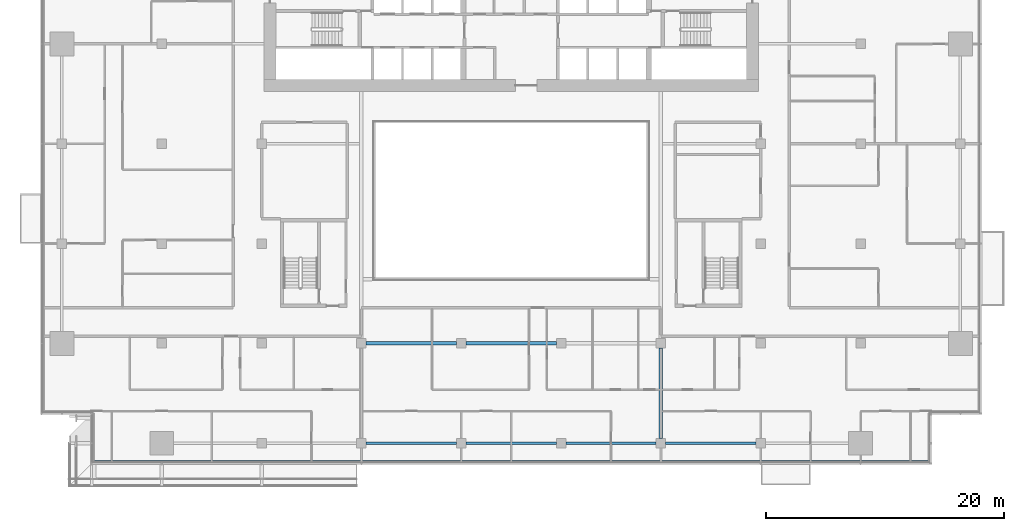
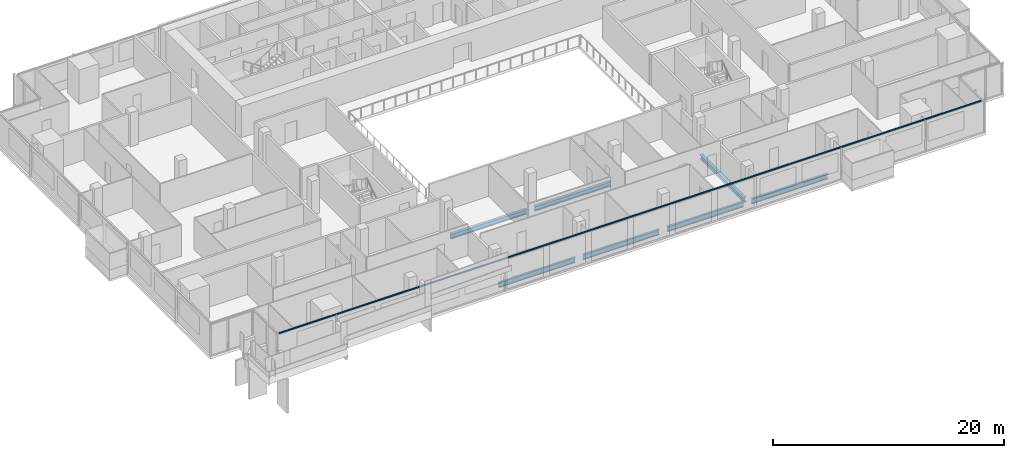
# One storey, part 5 of 29: 7 beams, 1 member, 1 element without a shape of its own.
"""IFC4 building model written with IfcOpenShell, lengths in metres."""

from ifc_helpers import new_model, si_unit, direction, frame, origin, origin_2d, place, context, subcontext, project, spatial, rectangle, i_section, extrude, material, material_profile, profile_set, type_object, element, aggregate, save


model = new_model("IFC4")

# Units and contexts
model_context = context("Model", 3, precision=1e-05, world=origin(), true_north=direction((0.0, 1.0)))
body_context = subcontext(model_context, "Body", "Model", "MODEL_VIEW")
ifc_project = project(units=[si_unit("LENGTHUNIT", "METRE"), si_unit("AREAUNIT", "SQUARE_METRE"), si_unit("VOLUMEUNIT", "CUBIC_METRE"), si_unit("PLANEANGLEUNIT", "RADIAN"), si_unit("MASSUNIT", "GRAM", prefix="KILO")], contexts=[model_context])

# Site, building, storey
site_placement = place(None, origin())
site = spatial("IfcSite", under=ifc_project, at=site_placement, CompositionType="ELEMENT")
building_placement = place(site_placement, origin())
building = spatial("IfcBuilding", under=site, at=building_placement, Name="Saffron Gate Tower", CompositionType="ELEMENT")
storey_placement = place(building_placement, frame((0.0, 0.0, 116.85009765625)))
storey = spatial("IfcBuildingStorey", under=building, at=storey_placement, Name="L27", CompositionType="ELEMENT", Elevation=116.85009765625)

# Beams
ifc_material_1 = material(Name="Structural steel S355", Category="steel")
ifc_material_profile_1 = material_profile(ifc_material_1, i_section(OverallWidth=0.2099609375, OverallDepth=0.550048828125, WebThickness=0.010986328125, FlangeThickness=0.01708984375, FilletRadius=0.02392578125, at=origin_2d()))
ifc_profile_set_1 = profile_set([ifc_material_profile_1], Name="Structural steel S355")
beam_type_1 = type_object("IfcBeamType", Name="B13 IPE 550", PredefinedType="SPANDREL", material=ifc_profile_set_1)
beam_1_placement = place(storey_placement, frame((75.39990234375, 31.800048828125, -0.55517578125), z_axis=(1.0, 0.0, 0.0), x_axis=(0.0, 1.0, 0.0)))
element("IfcBeam", 1, at=beam_1_placement, inside=storey, type_object=beam_type_1, Name="B13 SPANDREL BEAM", PredefinedType="SPANDREL", context=body_context, shape_type="SweptSolid", body=[
    extrude(i_section(OverallWidth=0.2099609375, OverallDepth=0.550048828125, WebThickness=0.010986328125, FlangeThickness=0.01708984375, FilletRadius=0.02392578125, at=origin_2d()), origin(), (0.0, 0.0, 1.0), 7.60009765625),
])
beam_2_placement = place(storey_placement, frame((83.800048828125, 31.800048828125, -0.55517578125), z_axis=(1.0, 0.0, 0.0), x_axis=(0.0, 1.0, 0.0)))
element("IfcBeam", 2, at=beam_2_placement, inside=storey, type_object=beam_type_1, Name="B13 SPANDREL BEAM", PredefinedType="SPANDREL", context=body_context, shape_type="SweptSolid", body=[
    extrude(i_section(OverallWidth=0.2099609375, OverallDepth=0.550048828125, WebThickness=0.010986328125, FlangeThickness=0.01708984375, FilletRadius=0.02392578125, at=origin_2d()), origin(), (0.0, 0.0, 1.0), 7.599853515625),
])
beam_3_placement = place(storey_placement, frame((92.199951171875, 31.800048828125, -0.55517578125), z_axis=(1.0, 0.0, 0.0), x_axis=(0.0, 1.0, 0.0)))
element("IfcBeam", 3, at=beam_3_placement, inside=storey, type_object=beam_type_1, Name="B13 SPANDREL BEAM", PredefinedType="SPANDREL", context=body_context, shape_type="SweptSolid", body=[
    extrude(i_section(OverallWidth=0.2099609375, OverallDepth=0.550048828125, WebThickness=0.010986328125, FlangeThickness=0.01708984375, FilletRadius=0.02392578125, at=origin_2d()), origin(), (0.0, 0.0, 1.0), 7.60009765625),
])
beam_4_placement = place(storey_placement, frame((100.60009765625, 31.800048828125, -0.55517578125), z_axis=(1.0, 0.0, 0.0), x_axis=(0.0, 1.0, 0.0)))
element("IfcBeam", 4, at=beam_4_placement, inside=storey, type_object=beam_type_1, Name="B13 SPANDREL BEAM", PredefinedType="SPANDREL", context=body_context, shape_type="SweptSolid", body=[
    extrude(i_section(OverallWidth=0.2099609375, OverallDepth=0.550048828125, WebThickness=0.010986328125, FlangeThickness=0.01708984375, FilletRadius=0.02392578125, at=origin_2d()), origin(), (0.0, 0.0, 1.0), 7.599853515625),
])
ifc_material_profile_2 = material_profile(ifc_material_1, i_section(OverallWidth=0.300048828125, OverallDepth=0.489990234375, WebThickness=0.011962890625, FlangeThickness=0.02294921875, FilletRadius=0.027099609375, at=origin_2d()))
ifc_profile_set_2 = profile_set([ifc_material_profile_2], Name="Structural steel S355")
beam_type_2 = type_object("IfcBeamType", Name="B8 HEA 500", PredefinedType="BEAM", material=ifc_profile_set_2)
for number, where, z_axis, x_axis, name in (
    (5, (100.199951171875, 32.199951171875, -0.525146484375), (0.0, 1.0, 0.0), (-1.0, 0.0, 0.0), "B8 FLOOR GIRDER"),
    (6, (75.39990234375, 40.199951171875, -0.525146484375), (1.0, 0.0, 0.0), (0.0, 1.0, 0.0), "B8 FLOOR GIRDER"),
):
    element("IfcBeam", number, at=place(storey_placement, frame(where, z_axis=z_axis, x_axis=x_axis)), inside=storey, type_object=beam_type_2, Name=name, PredefinedType="BEAM", context=body_context, shape_type="SweptSolid", body=[
        extrude(i_section(OverallWidth=0.300048828125, OverallDepth=0.489990234375, WebThickness=0.011962890625, FlangeThickness=0.02294921875, FilletRadius=0.027099609375, at=origin_2d()), origin(), (0.0, 0.0, 1.0), 7.60009765625),
    ])
beam_5_placement = place(storey_placement, frame((83.800048828125, 40.199951171875, -0.525146484375), z_axis=(1.0, 0.0, 0.0), x_axis=(0.0, 1.0, 0.0)))
element("IfcBeam", 7, at=beam_5_placement, inside=storey, type_object=beam_type_2, Name="B8 FLOOR GIRDER", PredefinedType="BEAM", context=body_context, shape_type="SweptSolid", body=[
    extrude(i_section(OverallWidth=0.300048828125, OverallDepth=0.489990234375, WebThickness=0.011962890625, FlangeThickness=0.02294921875, FilletRadius=0.027099609375, at=origin_2d()), origin(), (0.0, 0.0, 1.0), 7.599853515625),
])

# Curtain wall, member
ifc_material_2 = material(Name="Aluminium, bronze anodised", Category="aluminium")
curtain_wall_type = type_object("IfcCurtainWallType", Name="CWS1 curtain wall front facade", PredefinedType="NOTDEFINED", material=ifc_material_2)
curtain_wall_placement = place(storey_placement, origin())
curtain_wall = element("IfcCurtainWall", 8, at=curtain_wall_placement, inside=storey, type_object=curtain_wall_type, Name="CWS1 run 1", PredefinedType="NOTDEFINED")
ifc_material_profile_3 = material_profile(ifc_material_2, rectangle(XDim=0.1201171875, YDim=0.1201171875, at=origin_2d()))
ifc_profile_set_3 = profile_set([ifc_material_profile_3], Name="Aluminium, bronze anodised")
member_type = type_object("IfcMemberType", Name="CWS1 head transom", PredefinedType="USERDEFINED", material=ifc_profile_set_3)
member_placement = place(storey_placement, frame((52.568115234375, 30.248046875, 3.260009765625), z_axis=(1.0, 0.0, 0.0), x_axis=(0.0, 1.0, 0.0)))
member = element("IfcMember", 9, at=member_placement, type_object=member_type, Name="CWS1 head transom", ObjectType="TRANSOM", PredefinedType="USERDEFINED", context=body_context, shape_type="SweptSolid", body=[
    extrude(rectangle(XDim=0.1201171875, YDim=0.1201171875, at=origin_2d()), origin(), (0.0, 0.0, 1.0), 70.06396484375),
])
aggregate(curtain_wall, [member])

save(model, "model.ifc")
